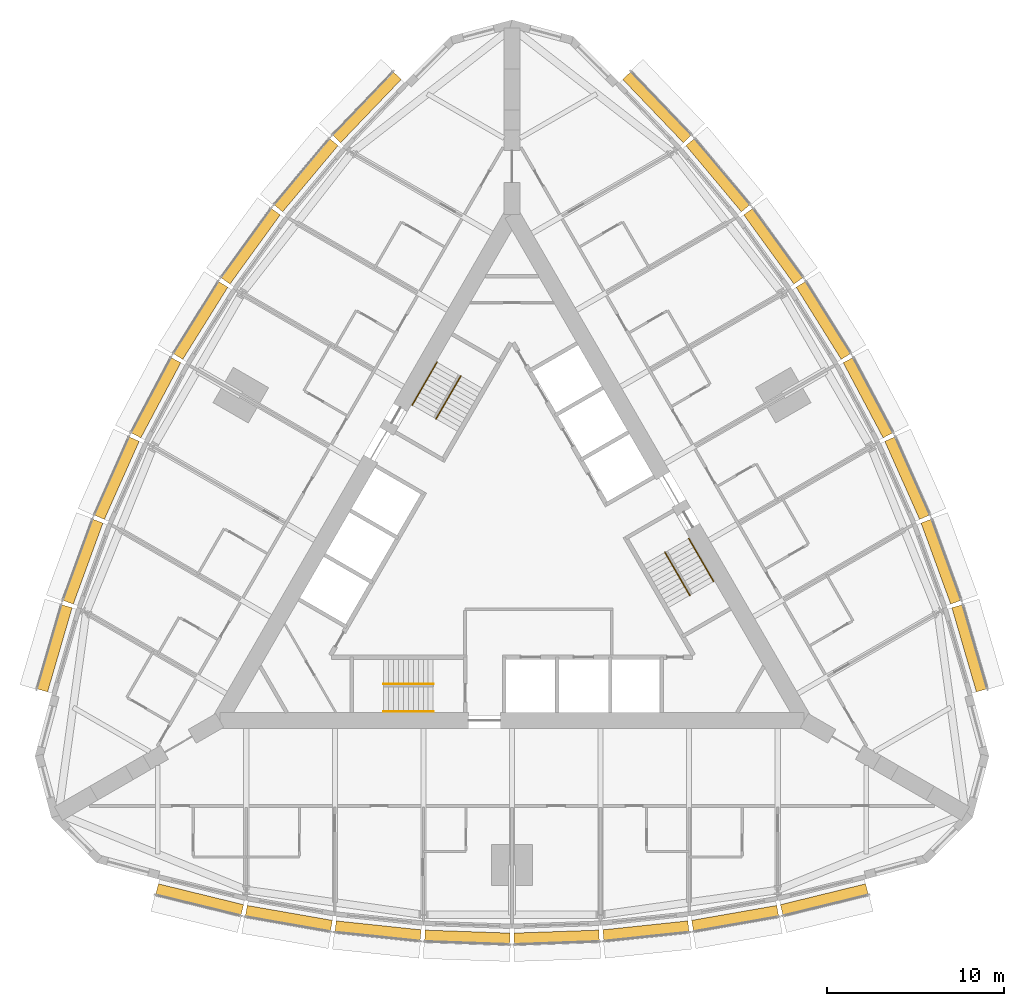
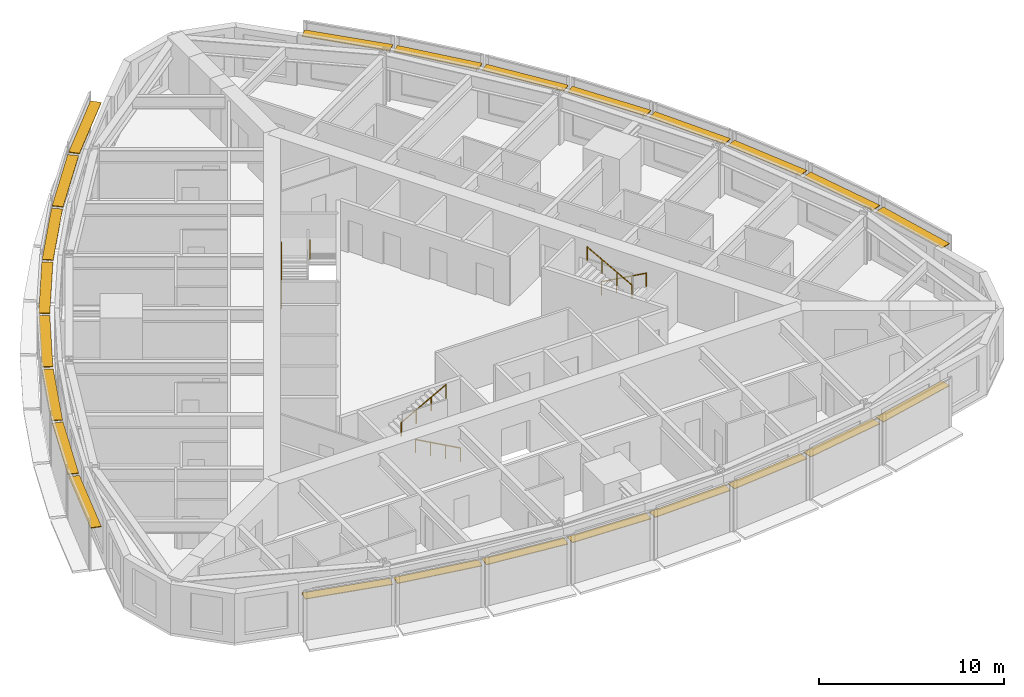
# One storey, part 14 of 14: 24 shading devices, 6 railings.
"""IFC4 building model written with IfcOpenShell, lengths in metres."""

from ifc_helpers import new_model, si_unit, direction, frame, origin, origin_2d, place, context, subcontext, project, spatial, rectangle, circle, extrude, material, type_object, element, save


model = new_model("IFC4")

# Units and contexts
model_context = context("Model", 3, precision=1e-05, world=origin(), true_north=direction((0.0, 1.0)))
body_context = subcontext(model_context, "Body", "Model", "MODEL_VIEW")
ifc_project = project(units=[si_unit("LENGTHUNIT", "METRE"), si_unit("AREAUNIT", "SQUARE_METRE"), si_unit("VOLUMEUNIT", "CUBIC_METRE"), si_unit("PLANEANGLEUNIT", "RADIAN"), si_unit("MASSUNIT", "GRAM", prefix="KILO")], contexts=[model_context])

# Site, building, storey
site_placement = place(None, origin())
site = spatial("IfcSite", under=ifc_project, at=site_placement, CompositionType="ELEMENT")
building_placement = place(site_placement, origin())
building = spatial("IfcBuilding", under=site, at=building_placement, Name="Trikona Tower", CompositionType="ELEMENT")
storey_placement = place(building_placement, frame((0.0, 0.0, 141.89990234375)))
storey = spatial("IfcBuildingStorey", under=building, at=storey_placement, Name="L37", CompositionType="ELEMENT", Elevation=141.89990234375)

# Shading devices
ifc_material_1 = material(Name="Aluminium louvre blade, pale anodised", Category="aluminium")
shading_device_type = type_object("IfcShadingDeviceType", Name="Cavity louvre 600", PredefinedType="USERDEFINED", material=ifc_material_1)
shading_device_1_placement = place(storey_placement, frame((-17.63330078125, -19.631591796875, 2.77490234375), z_axis=(0.0, 0.0, 1.0), x_axis=(0.971274411564, -0.237962218516, 0.0)))
element("IfcShadingDevice", 1, at=shading_device_1_placement, inside=storey, type_object=shading_device_type, Name="Cavity louvre L37-00", ObjectType="LOUVRE", PredefinedType="USERDEFINED", context=body_context, shape_type="SweptSolid", body=[
    extrude(rectangle(XDim=4.947998046875, YDim=0.60009765625, at=origin_2d()), origin(), (0.0, 0.0, 1.0), 0.050048828125),
])
shading_device_2_placement = place(storey_placement, frame((-12.596435546875, -20.689208984375, 2.77490234375), z_axis=(0.0, 0.0, 1.0), x_axis=(0.985030604067, -0.172379549401, 0.0)))
element("IfcShadingDevice", 2, at=shading_device_2_placement, inside=storey, type_object=shading_device_type, Name="Cavity louvre L37-01", ObjectType="LOUVRE", PredefinedType="USERDEFINED", context=body_context, shape_type="SweptSolid", body=[
    extrude(rectangle(XDim=4.8759765625, YDim=0.60009765625, at=origin_2d()), origin(), (0.0, 0.0, 1.0), 0.050048828125),
])
shading_device_3_placement = place(storey_placement, frame((-7.55859375, -21.39453125, 2.77490234375), z_axis=(0.0, 0.0, 1.0), x_axis=(0.994532653854, -0.104426052392, 0.0)))
element("IfcShadingDevice", 3, at=shading_device_3_placement, inside=storey, type_object=shading_device_type, Name="Cavity louvre L37-02", ObjectType="LOUVRE", PredefinedType="USERDEFINED", context=body_context, shape_type="SweptSolid", body=[
    extrude(rectangle(XDim=4.827392578125, YDim=0.60009765625, at=origin_2d()), origin(), (0.0, 0.0, 1.0), 0.050048828125),
])
for number, where, z_axis, x_axis, name in (
    (4, (-2.51953125, -21.747314453125, 2.77490234375), (0.0, 0.0, 1.0), (0.999388082937, -0.034977988567, 0.0), "Cavity louvre L37-03"),
    (5, (2.51953125, -21.747314453125, 2.77490234375), (0.0, 0.0, 1.0), (0.999388082937, 0.034977988567, 0.0), "Cavity louvre L37-04"),
):
    element("IfcShadingDevice", number, at=place(storey_placement, frame(where, z_axis=z_axis, x_axis=x_axis)), inside=storey, type_object=shading_device_type, Name=name, ObjectType="LOUVRE", PredefinedType="USERDEFINED", context=body_context, shape_type="SweptSolid", body=[
        extrude(rectangle(XDim=4.802978515625, YDim=0.60009765625, at=origin_2d()), origin(), (0.0, 0.0, 1.0), 0.050048828125),
    ])
shading_device_4_placement = place(storey_placement, frame((7.55859375, -21.39453125, 2.77490234375), z_axis=(0.0, 0.0, 1.0), x_axis=(0.994532653854, 0.104426052392, 0.0)))
element("IfcShadingDevice", 6, at=shading_device_4_placement, inside=storey, type_object=shading_device_type, Name="Cavity louvre L37-05", ObjectType="LOUVRE", PredefinedType="USERDEFINED", context=body_context, shape_type="SweptSolid", body=[
    extrude(rectangle(XDim=4.827392578125, YDim=0.60009765625, at=origin_2d()), origin(), (0.0, 0.0, 1.0), 0.050048828125),
])
shading_device_5_placement = place(storey_placement, frame((12.596435546875, -20.689208984375, 2.77490234375), z_axis=(0.0, 0.0, 1.0), x_axis=(0.985030604067, 0.172379549401, 0.0)))
element("IfcShadingDevice", 7, at=shading_device_5_placement, inside=storey, type_object=shading_device_type, Name="Cavity louvre L37-06", ObjectType="LOUVRE", PredefinedType="USERDEFINED", context=body_context, shape_type="SweptSolid", body=[
    extrude(rectangle(XDim=4.8759765625, YDim=0.60009765625, at=origin_2d()), origin(), (0.0, 0.0, 1.0), 0.050048828125),
])
shading_device_6_placement = place(storey_placement, frame((17.63330078125, -19.631591796875, 2.77490234375), z_axis=(0.0, 0.0, 1.0), x_axis=(0.971274411564, 0.237962218516, 0.0)))
element("IfcShadingDevice", 8, at=shading_device_6_placement, inside=storey, type_object=shading_device_type, Name="Cavity louvre L37-07", ObjectType="LOUVRE", PredefinedType="USERDEFINED", context=body_context, shape_type="SweptSolid", body=[
    extrude(rectangle(XDim=4.947998046875, YDim=0.60009765625, at=origin_2d()), origin(), (0.0, 0.0, 1.0), 0.050048828125),
])
shading_device_7_placement = place(storey_placement, frame((25.818115234375, -5.455078125, 2.77490234375), z_axis=(0.0, 0.0, 1.0), x_axis=(-0.279554203664, 0.960129911634, 0.0)))
element("IfcShadingDevice", 9, at=shading_device_7_placement, inside=storey, type_object=shading_device_type, Name="Cavity louvre L37-12", ObjectType="LOUVRE", PredefinedType="USERDEFINED", context=body_context, shape_type="SweptSolid", body=[
    extrude(rectangle(XDim=4.94775390625, YDim=0.60009765625, at=origin_2d()), origin(), (0.0, 0.0, 1.0), 0.050048828125),
])
shading_device_8_placement = place(storey_placement, frame((24.2158203125, -0.564208984375, 2.77490234375), z_axis=(0.0, 0.0, 1.0), x_axis=(-0.343220397324, 0.939254895575, 0.0)))
element("IfcShadingDevice", 10, at=shading_device_8_placement, inside=storey, type_object=shading_device_type, Name="Cavity louvre L37-13", ObjectType="LOUVRE", PredefinedType="USERDEFINED", context=body_context, shape_type="SweptSolid", body=[
    extrude(rectangle(XDim=4.8759765625, YDim=0.60009765625, at=origin_2d()), origin(), (0.0, 0.0, 1.0), 0.050048828125),
])
shading_device_9_placement = place(storey_placement, frame((22.3076171875, 4.151611328125, 2.77490234375), z_axis=(0.0, 0.0, 1.0), x_axis=(-0.406843467615, 0.913497888809, 0.0)))
element("IfcShadingDevice", 11, at=shading_device_9_placement, inside=storey, type_object=shading_device_type, Name="Cavity louvre L37-14", ObjectType="LOUVRE", PredefinedType="USERDEFINED", context=body_context, shape_type="SweptSolid", body=[
    extrude(rectangle(XDim=4.827392578125, YDim=0.60009765625, at=origin_2d()), origin(), (0.0, 0.0, 1.0), 0.050048828125),
])
for number, where, z_axis, x_axis, name in (
    (12, (20.093505859375, 8.691650390625, 2.77490234375), (0.0, 0.0, 1.0), (-0.469397591494, 0.882986920118, 0.0), "Cavity louvre L37-15"),
    (13, (17.573974609375, 13.0556640625, 2.77490234375), (0.0, 0.0, 1.0), (-0.529994748414, 0.848000923734, 0.0), "Cavity louvre L37-16"),
):
    element("IfcShadingDevice", number, at=place(storey_placement, frame(where, z_axis=z_axis, x_axis=x_axis)), inside=storey, type_object=shading_device_type, Name=name, ObjectType="LOUVRE", PredefinedType="USERDEFINED", context=body_context, shape_type="SweptSolid", body=[
        extrude(rectangle(XDim=4.802978515625, YDim=0.60009765625, at=origin_2d()), origin(), (0.0, 0.0, 1.0), 0.050048828125),
    ])
shading_device_10_placement = place(storey_placement, frame((14.7490234375, 17.2431640625, 2.77490234375), z_axis=(0.0, 0.0, 1.0), x_axis=(-0.587686407834, 0.809088799853, 0.0)))
element("IfcShadingDevice", 14, at=shading_device_10_placement, inside=storey, type_object=shading_device_type, Name="Cavity louvre L37-17", ObjectType="LOUVRE", PredefinedType="USERDEFINED", context=body_context, shape_type="SweptSolid", body=[
    extrude(rectangle(XDim=4.827392578125, YDim=0.60009765625, at=origin_2d()), origin(), (0.0, 0.0, 1.0), 0.050048828125),
])
shading_device_11_placement = place(storey_placement, frame((11.619140625, 21.253662109375, 2.77490234375), z_axis=(0.0, 0.0, 1.0), x_axis=(-0.641807063101, 0.766866151133, 0.0)))
element("IfcShadingDevice", 15, at=shading_device_11_placement, inside=storey, type_object=shading_device_type, Name="Cavity louvre L37-18", ObjectType="LOUVRE", PredefinedType="USERDEFINED", context=body_context, shape_type="SweptSolid", body=[
    extrude(rectangle(XDim=4.8759765625, YDim=0.60009765625, at=origin_2d()), origin(), (0.0, 0.0, 1.0), 0.050048828125),
])
for number, where, z_axis, x_axis, name in (
    (16, (8.184814453125, 25.086669921875, 2.77490234375), (0.0, 0.0, 1.0), (-0.691723573819, 0.722162376078, 0.0), "Cavity louvre L37-19"),
    (17, (-8.184814453125, 25.086669921875, 2.77490234375), (0.0, 0.0, 1.0), (-0.691723573819, -0.722162376078, 0.0), "Cavity louvre L37-24"),
):
    element("IfcShadingDevice", number, at=place(storey_placement, frame(where, z_axis=z_axis, x_axis=x_axis)), inside=storey, type_object=shading_device_type, Name=name, ObjectType="LOUVRE", PredefinedType="USERDEFINED", context=body_context, shape_type="SweptSolid", body=[
        extrude(rectangle(XDim=4.947998046875, YDim=0.60009765625, at=origin_2d()), origin(), (0.0, 0.0, 1.0), 0.050048828125),
    ])
shading_device_12_placement = place(storey_placement, frame((-11.619140625, 21.253662109375, 2.77490234375), z_axis=(0.0, 0.0, 1.0), x_axis=(-0.641807063101, -0.766866151133, 0.0)))
element("IfcShadingDevice", 18, at=shading_device_12_placement, inside=storey, type_object=shading_device_type, Name="Cavity louvre L37-25", ObjectType="LOUVRE", PredefinedType="USERDEFINED", context=body_context, shape_type="SweptSolid", body=[
    extrude(rectangle(XDim=4.8759765625, YDim=0.60009765625, at=origin_2d()), origin(), (0.0, 0.0, 1.0), 0.050048828125),
])
shading_device_13_placement = place(storey_placement, frame((-14.7490234375, 17.2431640625, 2.77490234375), z_axis=(0.0, 0.0, 1.0), x_axis=(-0.587686407834, -0.809088799853, 0.0)))
element("IfcShadingDevice", 19, at=shading_device_13_placement, inside=storey, type_object=shading_device_type, Name="Cavity louvre L37-26", ObjectType="LOUVRE", PredefinedType="USERDEFINED", context=body_context, shape_type="SweptSolid", body=[
    extrude(rectangle(XDim=4.827392578125, YDim=0.60009765625, at=origin_2d()), origin(), (0.0, 0.0, 1.0), 0.050048828125),
])
for number, where, z_axis, x_axis, name in (
    (20, (-17.573974609375, 13.0556640625, 2.77490234375), (0.0, 0.0, 1.0), (-0.529994748414, -0.848000923734, 0.0), "Cavity louvre L37-27"),
    (21, (-20.093505859375, 8.691650390625, 2.77490234375), (0.0, 0.0, 1.0), (-0.469397591494, -0.882986920118, 0.0), "Cavity louvre L37-28"),
):
    element("IfcShadingDevice", number, at=place(storey_placement, frame(where, z_axis=z_axis, x_axis=x_axis)), inside=storey, type_object=shading_device_type, Name=name, ObjectType="LOUVRE", PredefinedType="USERDEFINED", context=body_context, shape_type="SweptSolid", body=[
        extrude(rectangle(XDim=4.802978515625, YDim=0.60009765625, at=origin_2d()), origin(), (0.0, 0.0, 1.0), 0.050048828125),
    ])
shading_device_14_placement = place(storey_placement, frame((-22.3076171875, 4.151611328125, 2.77490234375), z_axis=(0.0, 0.0, 1.0), x_axis=(-0.406843467615, -0.913497888809, 0.0)))
element("IfcShadingDevice", 22, at=shading_device_14_placement, inside=storey, type_object=shading_device_type, Name="Cavity louvre L37-29", ObjectType="LOUVRE", PredefinedType="USERDEFINED", context=body_context, shape_type="SweptSolid", body=[
    extrude(rectangle(XDim=4.827392578125, YDim=0.60009765625, at=origin_2d()), origin(), (0.0, 0.0, 1.0), 0.050048828125),
])
shading_device_15_placement = place(storey_placement, frame((-24.2158203125, -0.564208984375, 2.77490234375), z_axis=(0.0, 0.0, 1.0), x_axis=(-0.343220397324, -0.939254895575, 0.0)))
element("IfcShadingDevice", 23, at=shading_device_15_placement, inside=storey, type_object=shading_device_type, Name="Cavity louvre L37-30", ObjectType="LOUVRE", PredefinedType="USERDEFINED", context=body_context, shape_type="SweptSolid", body=[
    extrude(rectangle(XDim=4.8759765625, YDim=0.60009765625, at=origin_2d()), origin(), (0.0, 0.0, 1.0), 0.050048828125),
])
shading_device_16_placement = place(storey_placement, frame((-25.818115234375, -5.455078125, 2.77490234375), z_axis=(0.0, 0.0, 1.0), x_axis=(-0.279554203664, -0.960129911634, 0.0)))
element("IfcShadingDevice", 24, at=shading_device_16_placement, inside=storey, type_object=shading_device_type, Name="Cavity louvre L37-31", ObjectType="LOUVRE", PredefinedType="USERDEFINED", context=body_context, shape_type="SweptSolid", body=[
    extrude(rectangle(XDim=4.94775390625, YDim=0.60009765625, at=origin_2d()), origin(), (0.0, 0.0, 1.0), 0.050048828125),
])

# Railings
ifc_material_2 = material(Name="Stainless steel handrail", Category="steel")
railing_type = type_object("IfcRailingType", Name="Stair handrail", PredefinedType="HANDRAIL", material=ifc_material_2)
railing_1_placement = place(storey_placement, frame((-4.449951171875, -9.016357421875, 0.154541015625)))
element("IfcRailing", 25, at=railing_1_placement, inside=storey, type_object=railing_type, Name="Stair handrail A L37 1", PredefinedType="HANDRAIL", context=body_context, shape_type="SweptSolid", body=[
    extrude(circle(Radius=0.02392578125, at=origin_2d()), frame((0.0, 0.0, 0.8759765625), z_axis=(-0.875471895205, 0.0, 0.483269035534), x_axis=(0.0, -1.0, 0.0)), (0.0, 0.0, 1.0), 3.1982421875),
    extrude(circle(Radius=0.02099609375, at=origin_2d()), origin(), (0.0, 0.0, 1.0), 0.851806640625),
    extrude(circle(Radius=0.02099609375, at=origin_2d()), frame((-0.933349609375, 0.0, 0.51513671875)), (0.0, 0.0, 1.0), 0.851806640625),
    extrude(circle(Radius=0.02099609375, at=origin_2d()), frame((-1.86669921875, 0.0, 1.030517578125)), (0.0, 0.0, 1.0), 0.851806640625),
    extrude(circle(Radius=0.02099609375, at=origin_2d()), frame((-2.800048828125, 0.0, 1.545654296875)), (0.0, 0.0, 1.0), 0.851806640625),
])
railing_2_placement = place(storey_placement, frame((-7.25, -7.46630859375, 1.8544921875)))
element("IfcRailing", 26, at=railing_2_placement, inside=storey, type_object=railing_type, Name="Stair handrail A L37 2", PredefinedType="HANDRAIL", context=body_context, shape_type="SweptSolid", body=[
    extrude(circle(Radius=0.02392578125, at=origin_2d()), frame((0.0, 0.0, 0.8759765625), z_axis=(0.875471895205, 0.0, 0.483269035534), x_axis=(0.0, 1.0, 0.0)), (0.0, 0.0, 1.0), 3.1982421875),
    extrude(circle(Radius=0.02099609375, at=origin_2d()), origin(), (0.0, 0.0, 1.0), 0.851806640625),
    extrude(circle(Radius=0.02099609375, at=origin_2d()), frame((0.933349609375, 0.0, 0.51513671875)), (0.0, 0.0, 1.0), 0.851806640625),
    extrude(circle(Radius=0.02099609375, at=origin_2d()), frame((1.86669921875, 0.0, 1.030517578125)), (0.0, 0.0, 1.0), 0.851806640625),
    extrude(circle(Radius=0.02099609375, at=origin_2d()), frame((2.800048828125, 0.0, 1.545654296875)), (0.0, 0.0, 1.0), 0.851806640625),
])
railing_3_placement = place(storey_placement, frame((9.9833984375, 0.740966796875, 0.154541015625)))
element("IfcRailing", 27, at=railing_3_placement, inside=storey, type_object=railing_type, Name="Stair handrail B L37 1", PredefinedType="HANDRAIL", context=body_context, shape_type="SweptSolid", body=[
    extrude(circle(Radius=0.02392578125, at=origin_2d()), frame((0.0, 0.0, 0.8759765625), z_axis=(0.437691042731, -0.758211567396, 0.483261596012), x_axis=(0.866056369097, 0.49994636267, 0.0)), (0.0, 0.0, 1.0), 3.198486328125),
    extrude(circle(Radius=0.02099609375, at=origin_2d()), origin(), (0.0, 0.0, 1.0), 0.851806640625),
    extrude(circle(Radius=0.02099609375, at=origin_2d()), frame((0.466552734375, -0.808349609375, 0.51513671875)), (0.0, 0.0, 1.0), 0.851806640625),
    extrude(circle(Radius=0.02099609375, at=origin_2d()), frame((0.933349609375, -1.61669921875, 1.030517578125)), (0.0, 0.0, 1.0), 0.851806640625),
    extrude(circle(Radius=0.02099609375, at=origin_2d()), frame((1.39990234375, -2.425048828125, 1.545654296875)), (0.0, 0.0, 1.0), 0.851806640625),
])
railing_4_placement = place(storey_placement, frame((10.041015625, -2.458984375, 1.8544921875)))
element("IfcRailing", 28, at=railing_4_placement, inside=storey, type_object=railing_type, Name="Stair handrail B L37 2", PredefinedType="HANDRAIL", context=body_context, shape_type="SweptSolid", body=[
    extrude(circle(Radius=0.02392578125, at=origin_2d()), frame((0.0, 0.0, 0.8759765625), z_axis=(-0.437691042731, 0.758211567396, 0.483261596012), x_axis=(-0.866056369097, -0.49994636267, 0.0)), (0.0, 0.0, 1.0), 3.198486328125),
    extrude(circle(Radius=0.02099609375, at=origin_2d()), origin(), (0.0, 0.0, 1.0), 0.851806640625),
    extrude(circle(Radius=0.02099609375, at=origin_2d()), frame((-0.466552734375, 0.808349609375, 0.51513671875)), (0.0, 0.0, 1.0), 0.851806640625),
    extrude(circle(Radius=0.02099609375, at=origin_2d()), frame((-0.933349609375, 1.61669921875, 1.030517578125)), (0.0, 0.0, 1.0), 0.851806640625),
    extrude(circle(Radius=0.02099609375, at=origin_2d()), frame((-1.39990234375, 2.425048828125, 1.545654296875)), (0.0, 0.0, 1.0), 0.851806640625),
])
railing_5_placement = place(storey_placement, frame((-5.63330078125, 8.275390625, 0.154541015625)))
element("IfcRailing", 29, at=railing_5_placement, inside=storey, type_object=railing_type, Name="Stair handrail C L37 1", PredefinedType="HANDRAIL", context=body_context, shape_type="SweptSolid", body=[
    extrude(circle(Radius=0.02392578125, at=origin_2d()), frame((0.0, 0.0, 0.8759765625), z_axis=(0.437716375571, 0.758179114435, 0.4832895664), x_axis=(-0.866034573852, 0.49998411664, 0.0)), (0.0, 0.0, 1.0), 3.1982421875),
    extrude(circle(Radius=0.02099609375, at=origin_2d()), origin(), (0.0, 0.0, 1.0), 0.851806640625),
    extrude(circle(Radius=0.02099609375, at=origin_2d()), frame((0.466552734375, 0.808349609375, 0.51513671875)), (0.0, 0.0, 1.0), 0.851806640625),
    extrude(circle(Radius=0.02099609375, at=origin_2d()), frame((0.933349609375, 1.616455078125, 1.030517578125)), (0.0, 0.0, 1.0), 0.851806640625),
    extrude(circle(Radius=0.02099609375, at=origin_2d()), frame((1.39990234375, 2.4248046875, 1.545654296875)), (0.0, 0.0, 1.0), 0.851806640625),
])
railing_6_placement = place(storey_placement, frame((-2.89111328125, 9.92529296875, 1.8544921875)))
element("IfcRailing", 30, at=railing_6_placement, inside=storey, type_object=railing_type, Name="Stair handrail C L37 2", PredefinedType="HANDRAIL", context=body_context, shape_type="SweptSolid", body=[
    extrude(circle(Radius=0.02392578125, at=origin_2d()), frame((0.0, 0.0, 0.8759765625), z_axis=(-0.437691042731, -0.758211567396, 0.483261596012), x_axis=(0.866056369097, -0.49994636267, 0.0)), (0.0, 0.0, 1.0), 3.198486328125),
    extrude(circle(Radius=0.02099609375, at=origin_2d()), origin(), (0.0, 0.0, 1.0), 0.851806640625),
    extrude(circle(Radius=0.02099609375, at=origin_2d()), frame((-0.466552734375, -0.808349609375, 0.51513671875)), (0.0, 0.0, 1.0), 0.851806640625),
    extrude(circle(Radius=0.02099609375, at=origin_2d()), frame((-0.933349609375, -1.61669921875, 1.030517578125)), (0.0, 0.0, 1.0), 0.851806640625),
    extrude(circle(Radius=0.02099609375, at=origin_2d()), frame((-1.39990234375, -2.425048828125, 1.545654296875)), (0.0, 0.0, 1.0), 0.851806640625),
])

save(model, "model.ifc")
